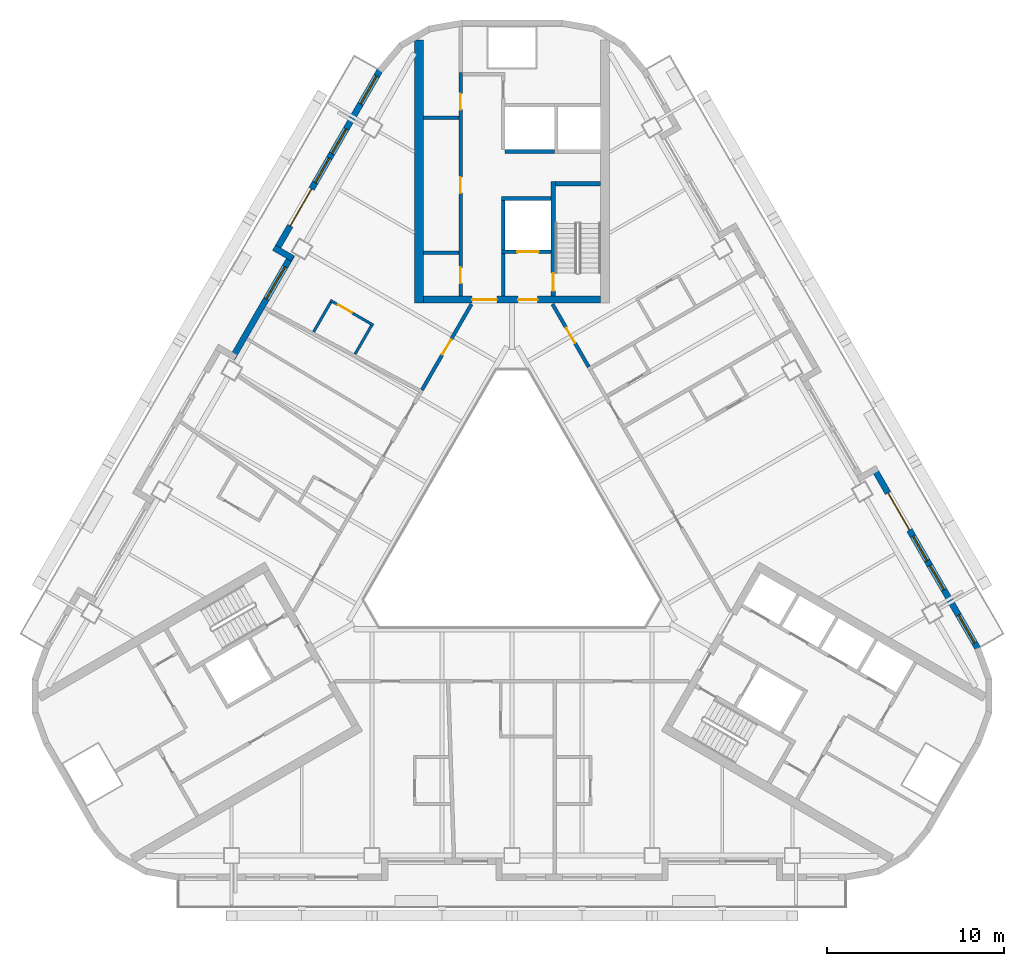
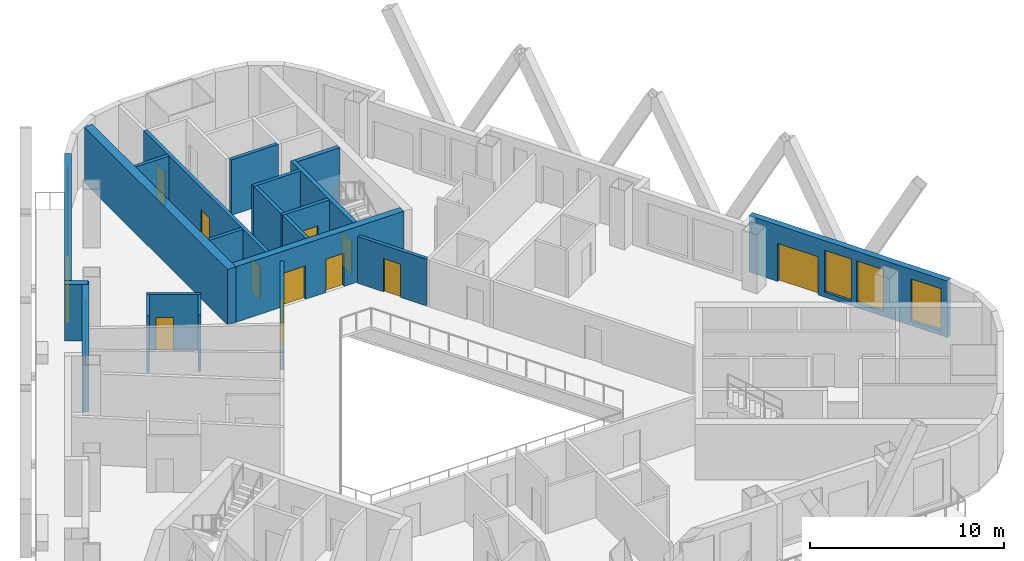
# One storey, part 6 of 14: 21 walls, 12 doors, 7 windows, 19 openings.
"""IFC4 building model written with IfcOpenShell, lengths in metres."""

import ifcopenshell
import ifcopenshell.guid

model = None  # the IFC model being written
_history = None  # IfcOwnerHistory: only IFC2X3 demands one
_inside = {}  # id of a spatial element -> (the spatial element, [elements in it])
_under = {}  # id of a project, library or spatial element -> (it, [spatial elements below it])
_declared = {}  # id of a project -> (the project, [libraries it declares])
_typed = {}  # id of a type object -> (the type object, [elements of that type])
_made_of = {}  # id of a material, layer set ... -> (it, [elements and type objects made of it])


def new_model(schema):
    """Start an empty IFC model of exactly this schema.

    Asked for "IFC4X3", IfcOpenShell would pick the latest addendum, in which some entities
    have other attributes; the version numbers below select the first issue.
    IFC2X3 requires an IfcOwnerHistory on every rooted entity: one is made here for all.
    """
    global model, _history
    if schema == "IFC4X3":
        model = ifcopenshell.file(schema_version=(4, 3, 0, 0))
    else:
        model = ifcopenshell.file(schema=schema)
    _inside.clear()
    _under.clear()
    _declared.clear()
    _typed.clear()
    _made_of.clear()
    _history = None
    if model.schema == "IFC2X3":
        org = make("IfcOrganization", Name="unknown")
        user = make(
            "IfcPersonAndOrganization",
            ThePerson=make("IfcPerson", FamilyName="unknown"),
            TheOrganization=org,
        )
        app = make(
            "IfcApplication",
            ApplicationDeveloper=org,
            Version="unknown",
            ApplicationFullName="unknown",
            ApplicationIdentifier="unknown",
        )
        _history = make(
            "IfcOwnerHistory",
            OwningUser=user,
            OwningApplication=app,
            ChangeAction="ADDED",
            CreationDate=0,
        )
    return model


def make(cls, **values):
    """One entity of the class cls with the attributes given. An attribute that is None is left unset."""
    return model.create_entity(
        cls, **{name: value for name, value in values.items() if value is not None}
    )


def rooted(cls, **values):
    """An entity with a GlobalId (a new one), such as an element, a storey or a relation."""
    return make(cls, GlobalId=ifcopenshell.guid.new(), OwnerHistory=_history, **values)


def si_unit(unit_type, name, prefix=None):
    """IfcSIUnit, for example si_unit("LENGTHUNIT", "METRE", prefix="MILLI")."""
    return make("IfcSIUnit", UnitType=unit_type, Prefix=prefix, Name=name)


def assignment(units):
    """IfcUnitAssignment: the units of a project."""
    return None if units is None else make("IfcUnitAssignment", Units=units)


def point(xyz):
    """IfcCartesianPoint."""
    return None if xyz is None else make("IfcCartesianPoint", Coordinates=xyz)


def direction(xyz):
    """IfcDirection."""
    return None if xyz is None else make("IfcDirection", DirectionRatios=xyz)


def frame(location, z_axis=None, x_axis=None):
    """IfcAxis2Placement3D, a coordinate frame: its origin and axes. An axis left out is left unset."""
    return make(
        "IfcAxis2Placement3D",
        Location=point(location),
        Axis=direction(z_axis),
        RefDirection=direction(x_axis),
    )


def frame_2d(location, x_axis=None):
    """IfcAxis2Placement2D, a coordinate frame in the plane: its origin and x axis."""
    return make(
        "IfcAxis2Placement2D", Location=point(location), RefDirection=direction(x_axis)
    )


def origin():
    """The frame at (0, 0, 0) with its axes left unset."""
    return frame((0.0, 0.0, 0.0))


def place(relative_to, where):
    """IfcLocalPlacement: puts the frame where relative to a parent placement (None: the world)."""
    return make(
        "IfcLocalPlacement", PlacementRelTo=relative_to, RelativePlacement=where
    )


def context(
    kind, dimensions, precision=None, world=None, true_north=None, identifier=None
):
    """IfcGeometricRepresentationContext, for example the 3D "Model" context."""
    return make(
        "IfcGeometricRepresentationContext",
        ContextIdentifier=identifier,
        ContextType=kind,
        CoordinateSpaceDimension=dimensions,
        Precision=precision,
        WorldCoordinateSystem=world,
        TrueNorth=true_north,
    )


def subcontext(parent, identifier, kind, view, scale=None):
    """IfcGeometricRepresentationSubContext, for example "Body" below "Model"."""
    return make(
        "IfcGeometricRepresentationSubContext",
        ContextIdentifier=identifier,
        ContextType=kind,
        ParentContext=parent,
        TargetScale=scale,
        TargetView=view,
    )


def project(units=None, contexts=None):
    """IfcProject with its units and contexts."""
    return rooted(
        "IfcProject",
        Name="project",
        RepresentationContexts=contexts,
        UnitsInContext=assignment(units),
    )


def spatial(cls, under=None, at=None, **own):
    """A site, building, storey or space (cls), placed at a placement, below another one or the project."""
    s = rooted(cls, ObjectPlacement=at, **own)
    if under is not None:
        _under.setdefault(under.id(), (under, []))[1].append(s)
    return s


def profile(cls, at=None, kind="AREA", **sizes):
    """A parametric profile (cls). Its sizes go by their IFC names, for example OverallWidth=200.0."""
    return make(cls, ProfileType=kind, Position=at, **sizes)


def rectangle(**sizes):
    """IfcRectangleProfileDef."""
    return profile("IfcRectangleProfileDef", **sizes)


def extrude(swept, where, along, depth):
    """IfcExtrudedAreaSolid: the profile swept, set in the frame where, extruded along a direction by depth."""
    return make(
        "IfcExtrudedAreaSolid",
        SweptArea=swept,
        Position=where,
        ExtrudedDirection=direction(along),
        Depth=depth,
    )


def shape(context_of_items, identifier, shape_type, items):
    """IfcShapeRepresentation: the items that make up one representation, for example the "Body"."""
    return make(
        "IfcShapeRepresentation",
        ContextOfItems=context_of_items,
        RepresentationIdentifier=identifier,
        RepresentationType=shape_type,
        Items=items,
    )


def material(Name=None, Category=None):
    """IfcMaterial."""
    return make("IfcMaterial", Name=Name, Category=Category)


def layer(
    of_material, thickness, ventilated=None, Name=None, Category=None, Priority=None
):
    """IfcMaterialLayer: one layer of a wall or slab, of a material (None: an air gap)."""
    return make(
        "IfcMaterialLayer",
        Material=of_material,
        LayerThickness=thickness,
        IsVentilated=ventilated,
        Name=Name,
        Category=Category,
        Priority=Priority,
    )


def layer_set(layers, Name=None):
    """IfcMaterialLayerSet."""
    return make("IfcMaterialLayerSet", MaterialLayers=layers, LayerSetName=Name)


def made_of(thing, what):
    """Note that an element or type object is made of a material, layer set ...; save() writes the relation."""
    if what is not None:
        _made_of.setdefault(what.id(), (what, []))[1].append(thing)
    return thing


def type_object(cls, material=None, **own):
    """A type object (cls), such as IfcWallType, which elements share."""
    return made_of(rooted(cls, **own), material)


def element(
    cls,
    number,
    at=None,
    inside=None,
    cuts=None,
    type_object=None,
    material=None,
    context=None,
    identifier="Body",
    shape_type=None,
    held_by="IfcProductDefinitionShape",
    body=None,
    shapes=None,
    **own,
):
    """One element of the class cls, such as IfcWall. Its Tag is "e" and its number.

    at: its placement. inside: the storey or other place that contains it. cuts: it is an
    opening in that element (IfcRelVoidsElement). A single representation is given by context,
    identifier, shape_type and body (its items); several are given by shapes. held_by: the class
    of the entity that holds the representations. save() writes the other relations.
    """
    e = rooted(cls, Tag="e%d" % number, ObjectPlacement=at, **own)
    if body is not None:
        shapes = [shape(context, identifier, shape_type, body)]
    if shapes is not None:
        e.Representation = make(held_by, Representations=shapes)
    if inside is not None:
        _inside.setdefault(inside.id(), (inside, []))[1].append(e)
    if cuts is not None:
        rooted(
            "IfcRelVoidsElement", RelatingBuildingElement=cuts, RelatedOpeningElement=e
        )
    if type_object is not None:
        _typed.setdefault(type_object.id(), (type_object, []))[1].append(e)
    return made_of(e, material)


def fill(opening, filler):
    """IfcRelFillsElement: the door or window that sits in an opening."""
    return rooted(
        "IfcRelFillsElement",
        RelatingOpeningElement=opening,
        RelatedBuildingElement=filler,
    )


def aggregate(whole, parts):
    """IfcRelAggregates: a whole, such as a stair, and the parts it consists of."""
    return rooted("IfcRelAggregates", RelatingObject=whole, RelatedObjects=parts)


def save(model, path):
    """Write the relations noted so far, then the file.

    IfcRelAggregates (storeys below a building ...), IfcRelContainedInSpatialStructure (elements
    in a storey), IfcRelDefinesByType, IfcRelAssociatesMaterial and IfcRelDeclares: one each for
    every whole, place, type object, material and project.
    """
    for whole, parts in _under.values():
        aggregate(whole, parts)
    for where, things in _inside.values():
        rooted(
            "IfcRelContainedInSpatialStructure",
            RelatedElements=things,
            RelatingStructure=where,
        )
    for kind, things in _typed.values():
        rooted("IfcRelDefinesByType", RelatedObjects=things, RelatingType=kind)
    for what, things in _made_of.values():
        rooted("IfcRelAssociatesMaterial", RelatedObjects=things, RelatingMaterial=what)
    for by, libraries in _declared.values():
        rooted("IfcRelDeclares", RelatingContext=by, RelatedDefinitions=libraries)
    model.write(path)


model = new_model("IFC4")

# Units and contexts
model_context = context("Model", 3, precision=1e-05, world=origin(), true_north=direction((0.0, 1.0)))
body_context = subcontext(model_context, "Body", "Model", "MODEL_VIEW")
ifc_project = project(units=[si_unit("LENGTHUNIT", "METRE"), si_unit("AREAUNIT", "SQUARE_METRE"), si_unit("VOLUMEUNIT", "CUBIC_METRE"), si_unit("PLANEANGLEUNIT", "RADIAN"), si_unit("MASSUNIT", "GRAM", prefix="KILO")], contexts=[model_context])

# Site, building, storey
site_placement = place(None, origin())
site = spatial("IfcSite", under=ifc_project, at=site_placement, CompositionType="ELEMENT")
building_placement = place(site_placement, origin())
building = spatial("IfcBuilding", under=site, at=building_placement, Name="Apuvela Tower Hotel", CompositionType="ELEMENT")
storey_placement = place(building_placement, frame((0.0, 0.0, 98.300048828125)))
storey = spatial("IfcBuildingStorey", under=building, at=storey_placement, Name="L22", CompositionType="ELEMENT", Elevation=98.300048828125)

# Wall, openings, doors
ifc_material_1 = material(Name="Concrete C50/60", Category="concrete")
ifc_layer_1 = layer(ifc_material_1, 0.39990234375)
ifc_layer_set_1 = layer_set([ifc_layer_1], Name="COR-WALL-CORE-400")
wall_type_1 = type_object("IfcWallType", Name="COR-WALL-CORE-400", PredefinedType="SHEAR", material=ifc_layer_set_1)
wall_1_placement = place(storey_placement, frame((5.0, 13.10009765625, 0.0), z_axis=(0.0, 0.0, 1.0), x_axis=(-1.0, 0.0, 0.0)))
wall_1 = element("IfcWall", 1, at=wall_1_placement, inside=storey, type_object=wall_type_1, Name="Core wall N", PredefinedType="SHEAR", context=body_context, shape_type="SweptSolid", body=[
    extrude(rectangle(XDim=10.0, YDim=0.39990234375, at=frame_2d((5.0, 0.0))), origin(), (0.0, 0.0, 1.0), 3.5),
])
opening_1_placement = place(wall_1_placement, frame((3.550048828125, 0.0, 0.0)))
opening_1 = element("IfcOpeningElement", 2, at=opening_1_placement, cuts=wall_1, Name="Opening N-FD", PredefinedType="OPENING", context=body_context, shape_type="SweptSolid", body=[
    extrude(rectangle(XDim=1.10009765625, YDim=2.10009765625, at=frame_2d((0.550048828125, 1.050048828125))), frame((0.0, 0.2099609375, 0.0), z_axis=(0.0, -1.0, 0.0), x_axis=(1.0, 0.0, 0.0)), (0.0, 0.0, 1.0), 0.419921875),
])
opening_2_placement = place(wall_1_placement, frame((5.85009765625, 0.0, 0.0)))
opening_2 = element("IfcOpeningElement", 3, at=opening_2_placement, cuts=wall_1, Name="Opening N-GD", PredefinedType="OPENING", context=body_context, shape_type="SweptSolid", body=[
    extrude(rectangle(XDim=1.39990234375, YDim=2.10009765625, at=frame_2d((0.699951171875, 1.050048828125))), frame((0.0, 0.2099609375, 0.0), z_axis=(0.0, -1.0, 0.0), x_axis=(1.0, 0.0, 0.0)), (0.0, 0.0, 1.0), 0.419921875),
])
ifc_material_2 = material(Name="Steel fire door, powder coated", Category="steel")
door_type_1 = type_object("IfcDoorType", Name="COR-FD-1100", OperationType="NOTDEFINED", PredefinedType="DOOR", material=ifc_material_2)
door_1_placement = place(opening_1_placement, frame((1.10009765625, 0.0, 0.0), z_axis=(0.0, 0.0, 1.0), x_axis=(-1.0, 0.0, 0.0)))
door_1 = element("IfcDoor", 4, at=door_1_placement, inside=storey, type_object=door_type_1, Name="Firefighting lobby door N-FD", OperationType="SINGLE_SWING_LEFT", OverallHeight=2.10009765625, OverallWidth=1.10009765625, PredefinedType="DOOR", context=body_context, shape_type="SweptSolid", body=[
    extrude(rectangle(XDim=1.10009765625, YDim=2.10009765625, at=frame_2d((0.550048828125, 1.050048828125))), frame((0.0, 0.02490234375, 0.0), z_axis=(0.0, -1.0, 0.0), x_axis=(1.0, 0.0, 0.0)), (0.0, 0.0, 1.0), 0.050048828125),
])
fill(opening_1, door_1)
ifc_material_3 = material(Name="Glazed steel fire door", Category="steel")
door_type_2 = type_object("IfcDoorType", Name="COR-GD-1400", OperationType="DOUBLE_DOOR_SINGLE_SWING", PredefinedType="DOOR", material=ifc_material_3)
door_2_placement = place(opening_2_placement, frame((1.39990234375, 0.0, 0.0), z_axis=(0.0, 0.0, 1.0), x_axis=(-1.0, 0.0, 0.0)))
door_2 = element("IfcDoor", 5, at=door_2_placement, inside=storey, type_object=door_type_2, Name="Lift lobby door N-GD", OperationType="DOUBLE_DOOR_SINGLE_SWING", OverallHeight=2.10009765625, OverallWidth=1.39990234375, PredefinedType="DOOR", context=body_context, shape_type="SweptSolid", body=[
    extrude(rectangle(XDim=1.39990234375, YDim=2.10009765625, at=frame_2d((0.699951171875, 1.050048828125))), frame((0.0, 0.02490234375, 0.0), z_axis=(0.0, -1.0, 0.0), x_axis=(1.0, 0.0, 0.0)), (0.0, 0.0, 1.0), 0.050048828125),
])
fill(opening_2, door_2)

# Walls
ifc_layer_2 = layer(ifc_material_1, 0.5)
ifc_layer_set_2 = layer_set([ifc_layer_2], Name="COR-WALL-CORE-500")
wall_type_2 = type_object("IfcWallType", Name="COR-WALL-CORE-500", PredefinedType="SHEAR", material=ifc_layer_set_2)
wall_2_placement = place(storey_placement, frame((-5.25, 12.89990234375, 0.0), z_axis=(0.0, 0.0, 1.0), x_axis=(0.0, 1.0, 0.0)))
element("IfcWall", 6, at=wall_2_placement, inside=storey, type_object=wall_type_2, Name="Core wall N", PredefinedType="SHEAR", context=body_context, shape_type="SweptSolid", body=[
    extrude(rectangle(XDim=14.8369140625, YDim=0.5, at=frame_2d((7.41845703125, 0.0))), origin(), (0.0, 0.0, 1.0), 3.5),
])
ifc_material_4 = material(Name="Blockwork 200 mm plastered", Category="masonry")
ifc_layer_3 = layer(ifc_material_4, 0.199951171875)
ifc_layer_set_3 = layer_set([ifc_layer_3], Name="COR-WALL-PART-200")
wall_type_3 = type_object("IfcWallType", Name="COR-WALL-PART-200", PredefinedType="PARTITIONING", material=ifc_layer_set_3)
wall_3_placement = place(storey_placement, frame((2.39990234375, 21.449951171875, 0.0), z_axis=(0.0, 0.0, 1.0), x_axis=(-1.0, 0.0, 0.0)))
element("IfcWall", 7, at=wall_3_placement, inside=storey, type_object=wall_type_3, Name="Partition N", PredefinedType="PARTITIONING", context=body_context, shape_type="SweptSolid", body=[
    extrude(rectangle(XDim=2.7998046875, YDim=0.199951171875, at=frame_2d((1.39990234375, 0.0))), origin(), (0.0, 0.0, 1.0), 3.5),
])
ifc_layer_4 = layer(ifc_material_1, 0.199951171875)
ifc_layer_set_4 = layer_set([ifc_layer_4], Name="COR-WALL-SHAFT-200")
wall_type_4 = type_object("IfcWallType", Name="COR-WALL-SHAFT-200", PredefinedType="SHEAR", material=ifc_layer_set_4)
wall_4_placement = place(storey_placement, frame((2.199951171875, 18.800048828125, 0.0), z_axis=(0.0, 0.0, 1.0), x_axis=(-1.0, 0.0, 0.0)))
element("IfcWall", 8, at=wall_4_placement, inside=storey, type_object=wall_type_4, Name="Shaft wall N", PredefinedType="SHEAR", context=body_context, shape_type="SweptSolid", body=[
    extrude(rectangle(XDim=2.800048828125, YDim=0.199951171875, at=frame_2d((1.39990234375, 0.0))), origin(), (0.0, 0.0, 1.0), 3.5),
])

# Wall, opening, door
wall_5_placement = place(storey_placement, frame((2.199951171875, 15.800048828125, 0.0), z_axis=(0.0, 0.0, 1.0), x_axis=(-1.0, 0.0, 0.0)))
wall_5 = element("IfcWall", 9, at=wall_5_placement, inside=storey, type_object=wall_type_4, Name="Shaft wall N", PredefinedType="SHEAR", context=body_context, shape_type="SweptSolid", body=[
    extrude(rectangle(XDim=2.800048828125, YDim=0.199951171875, at=frame_2d((1.39990234375, 0.0))), origin(), (0.0, 0.0, 1.0), 3.5),
])
opening_3_placement = place(wall_5_placement, frame((0.699951171875, 0.0, 0.0)))
opening_3 = element("IfcOpeningElement", 10, at=opening_3_placement, cuts=wall_5, Name="Opening N-LD-FS1", PredefinedType="OPENING", context=body_context, shape_type="SweptSolid", body=[
    extrude(rectangle(XDim=1.199951171875, YDim=2.10009765625, at=frame_2d((0.60009765625, 1.050048828125))), frame((0.0, 0.10986328125, 0.0), z_axis=(0.0, -1.0, 0.0), x_axis=(1.0, 0.0, 0.0)), (0.0, 0.0, 1.0), 0.219970703125),
])
ifc_material_5 = material(Name="Stainless steel lift landing door", Category="steel")
door_type_3 = type_object("IfcDoorType", Name="COR-LD-1200", OperationType="DOUBLE_DOOR_SLIDING", PredefinedType="DOOR", material=ifc_material_5)
door_3_placement = place(opening_3_placement, origin())
door_3 = element("IfcDoor", 11, at=door_3_placement, inside=storey, type_object=door_type_3, Name="Lift landing door N-LD-FS1", OperationType="DOUBLE_DOOR_SLIDING", OverallHeight=2.10009765625, OverallWidth=1.199951171875, PredefinedType="DOOR", context=body_context, shape_type="SweptSolid", body=[
    extrude(rectangle(XDim=1.199951171875, YDim=2.10009765625, at=frame_2d((0.60009765625, 1.050048828125))), frame((0.0, 0.02490234375, 0.0), z_axis=(0.0, -1.0, 0.0), x_axis=(1.0, 0.0, 0.0)), (0.0, 0.0, 1.0), 0.050048828125),
])
fill(opening_3, door_3)

# Walls
wall_6_placement = place(storey_placement, frame((-0.5, 15.89990234375, 0.0), z_axis=(0.0, 0.0, 1.0), x_axis=(0.0, 1.0, 0.0)))
element("IfcWall", 12, at=wall_6_placement, inside=storey, type_object=wall_type_4, Name="Shaft wall N", PredefinedType="SHEAR", context=body_context, shape_type="SweptSolid", body=[
    extrude(rectangle(XDim=2.800048828125, YDim=0.199951171875, at=frame_2d((1.39990234375, 0.0))), origin(), (0.0, 0.0, 1.0), 3.5),
])
wall_7_placement = place(storey_placement, frame((-0.5, 13.300048828125, 0.0), z_axis=(0.0, 0.0, 1.0), x_axis=(0.0, 1.0, 0.0)))
element("IfcWall", 13, at=wall_7_placement, inside=storey, type_object=wall_type_4, Name="Shaft wall N", PredefinedType="SHEAR", context=body_context, shape_type="SweptSolid", body=[
    extrude(rectangle(XDim=2.39990234375, YDim=0.199951171875, at=frame_2d((1.199951171875, 0.0))), origin(), (0.0, 0.0, 1.0), 3.5),
])

# Wall, openings, doors
wall_8_placement = place(storey_placement, frame((-2.89990234375, 13.300048828125, 0.0), z_axis=(0.0, 0.0, 1.0), x_axis=(0.0, 1.0, 0.0)))
wall_8 = element("IfcWall", 14, at=wall_8_placement, inside=storey, type_object=wall_type_4, Name="Shaft wall N", PredefinedType="SHEAR", context=body_context, shape_type="SweptSolid", body=[
    extrude(rectangle(XDim=12.599853515625, YDim=0.199951171875, at=frame_2d((6.2998046875, 0.0))), origin(), (0.0, 0.0, 1.0), 3.5),
])
opening_4_placement = place(wall_8_placement, frame((0.719970703125, 0.0, 0.0)))
opening_4 = element("IfcOpeningElement", 15, at=opening_4_placement, cuts=wall_8, Name="Opening N-RE1", PredefinedType="OPENING", context=body_context, shape_type="SweptSolid", body=[
    extrude(rectangle(XDim=0.89990234375, YDim=2.10009765625, at=frame_2d((0.449951171875, 1.050048828125))), frame((0.0, 0.10986328125, 0.0), z_axis=(0.0, -1.0, 0.0), x_axis=(1.0, 0.0, 0.0)), (0.0, 0.0, 1.0), 0.219970703125),
])
opening_5_placement = place(wall_8_placement, frame((5.800048828125, 0.0, 0.0)))
opening_5 = element("IfcOpeningElement", 16, at=opening_5_placement, cuts=wall_8, Name="Opening N-RE2", PredefinedType="OPENING", context=body_context, shape_type="SweptSolid", body=[
    extrude(rectangle(XDim=0.89990234375, YDim=2.10009765625, at=frame_2d((0.449951171875, 1.050048828125))), frame((0.0, 0.10986328125, 0.0), z_axis=(0.0, -1.0, 0.0), x_axis=(1.0, 0.0, 0.0)), (0.0, 0.0, 1.0), 0.219970703125),
])
opening_6_placement = place(wall_8_placement, frame((10.510009765625, 0.0, 0.0)))
opening_6 = element("IfcOpeningElement", 17, at=opening_6_placement, cuts=wall_8, Name="Opening N-REP", PredefinedType="OPENING", context=body_context, shape_type="SweptSolid", body=[
    extrude(rectangle(XDim=0.89990234375, YDim=2.10009765625, at=frame_2d((0.449951171875, 1.050048828125))), frame((0.0, 0.10986328125, 0.0), z_axis=(0.0, -1.0, 0.0), x_axis=(1.0, 0.0, 0.0)), (0.0, 0.0, 1.0), 0.219970703125),
])
door_type_4 = type_object("IfcDoorType", Name="COR-DR-900", OperationType="NOTDEFINED", PredefinedType="DOOR", material=ifc_material_2)
door_4_placement = place(opening_4_placement, origin())
door_4 = element("IfcDoor", 18, at=door_4_placement, inside=storey, type_object=door_type_4, Name="Store door N-RE1", OperationType="SINGLE_SWING_LEFT", OverallHeight=2.10009765625, OverallWidth=0.89990234375, PredefinedType="DOOR", context=body_context, shape_type="SweptSolid", body=[
    extrude(rectangle(XDim=0.89990234375, YDim=2.10009765625, at=frame_2d((0.449951171875, 1.050048828125))), frame((0.0, 0.02490234375, 0.0), z_axis=(0.0, -1.0, 0.0), x_axis=(1.0, 0.0, 0.0)), (0.0, 0.0, 1.0), 0.050048828125),
])
fill(opening_4, door_4)
door_5_placement = place(opening_5_placement, origin())
door_5 = element("IfcDoor", 19, at=door_5_placement, inside=storey, type_object=door_type_4, Name="Store door N-RE2", OperationType="SINGLE_SWING_RIGHT", OverallHeight=2.10009765625, OverallWidth=0.89990234375, PredefinedType="DOOR", context=body_context, shape_type="SweptSolid", body=[
    extrude(rectangle(XDim=0.89990234375, YDim=2.10009765625, at=frame_2d((0.449951171875, 1.050048828125))), frame((0.0, 0.02490234375, 0.0), z_axis=(0.0, -1.0, 0.0), x_axis=(1.0, 0.0, 0.0)), (0.0, 0.0, 1.0), 0.050048828125),
])
fill(opening_5, door_5)
door_6_placement = place(opening_6_placement, origin())
door_6 = element("IfcDoor", 20, at=door_6_placement, inside=storey, type_object=door_type_4, Name="Store door N-REP", OperationType="SINGLE_SWING_RIGHT", OverallHeight=2.10009765625, OverallWidth=0.89990234375, PredefinedType="DOOR", context=body_context, shape_type="SweptSolid", body=[
    extrude(rectangle(XDim=0.89990234375, YDim=2.10009765625, at=frame_2d((0.449951171875, 1.050048828125))), frame((0.0, 0.02490234375, 0.0), z_axis=(0.0, -1.0, 0.0), x_axis=(1.0, 0.0, 0.0)), (0.0, 0.0, 1.0), 0.050048828125),
])
fill(opening_6, door_6)

# Walls
for number, where, z_axis, x_axis, name in (
    (21, (-3.0, 15.739990234375, 0.0), (0.0, 0.0, 1.0), (-1.0, 0.0, 0.0), "Shaft wall N"),
    (22, (-3.0, 23.360107421875, 0.0), (0.0, 0.0, 1.0), (-1.0, 0.0, 0.0), "Shaft wall N"),
):
    element("IfcWall", number, at=place(storey_placement, frame(where, z_axis=z_axis, x_axis=x_axis)), inside=storey, type_object=wall_type_4, Name=name, PredefinedType="SHEAR", context=body_context, shape_type="SweptSolid", body=[
        extrude(rectangle(XDim=2.0, YDim=0.199951171875, at=frame_2d((1.0, 0.0))), origin(), (0.0, 0.0, 1.0), 3.5),
    ])

# Wall, opening, door
ifc_layer_5 = layer(ifc_material_1, 0.25)
ifc_layer_set_5 = layer_set([ifc_layer_5], Name="COR-WALL-STAIR-250")
wall_type_5 = type_object("IfcWallType", Name="COR-WALL-STAIR-250", PredefinedType="SHEAR", material=ifc_layer_set_5)
wall_9_placement = place(storey_placement, frame((2.324951171875, 13.300048828125, 0.0), z_axis=(0.0, 0.0, 1.0), x_axis=(0.0, 1.0, 0.0)))
wall_9 = element("IfcWall", 23, at=wall_9_placement, inside=storey, type_object=wall_type_5, Name="Stair wall N", PredefinedType="SHEAR", context=body_context, shape_type="SweptSolid", body=[
    extrude(rectangle(XDim=6.449951171875, YDim=0.25, at=frame_2d((3.22509765625, 0.0))), origin(), (0.0, 0.0, 1.0), 3.5),
])
opening_7_placement = place(wall_9_placement, frame((0.300048828125, 0.0, 0.0)))
opening_7 = element("IfcOpeningElement", 24, at=opening_7_placement, cuts=wall_9, Name="Opening N-SD", PredefinedType="OPENING", context=body_context, shape_type="SweptSolid", body=[
    extrude(rectangle(XDim=1.0, YDim=2.10009765625, at=frame_2d((0.5, 1.050048828125))), frame((0.0, 0.135009765625, 0.0), z_axis=(0.0, -1.0, 0.0), x_axis=(1.0, 0.0, 0.0)), (0.0, 0.0, 1.0), 0.27001953125),
])
door_type_5 = type_object("IfcDoorType", Name="COR-SD-1000", OperationType="NOTDEFINED", PredefinedType="DOOR", material=ifc_material_2)
door_7_placement = place(opening_7_placement, frame((1.0, 0.0, 0.0), z_axis=(0.0, 0.0, 1.0), x_axis=(-1.0, 0.0, 0.0)))
door_7 = element("IfcDoor", 25, at=door_7_placement, inside=storey, type_object=door_type_5, Name="Stair door N-SD", OperationType="SINGLE_SWING_LEFT", OverallHeight=2.10009765625, OverallWidth=1.0, PredefinedType="DOOR", context=body_context, shape_type="SweptSolid", body=[
    extrude(rectangle(XDim=1.0, YDim=2.10009765625, at=frame_2d((0.5, 1.050048828125))), frame((0.0, 0.02490234375, 0.0), z_axis=(0.0, -1.0, 0.0), x_axis=(1.0, 0.0, 0.0)), (0.0, 0.0, 1.0), 0.050048828125),
])
fill(opening_7, door_7)

# Wall
wall_10_placement = place(storey_placement, frame((5.0, 19.625, 0.0), z_axis=(0.0, 0.0, 1.0), x_axis=(-1.0, 0.0, 0.0)))
element("IfcWall", 26, at=wall_10_placement, inside=storey, type_object=wall_type_5, Name="Stair wall N", PredefinedType="SHEAR", context=body_context, shape_type="SweptSolid", body=[
    extrude(rectangle(XDim=2.550048828125, YDim=0.25, at=frame_2d((1.27490234375, 0.0))), origin(), (0.0, 0.0, 1.0), 3.5),
])

# Wall, openings, door, windows
ifc_material_6 = material(Name="Concrete C40/50, dark pigmented precast panel", Category="concrete")
ifc_layer_6 = layer(ifc_material_6, 0.35009765625)
ifc_layer_set_6 = layer_set([ifc_layer_6], Name="ENV-WALL-350")
wall_type_6 = type_object("IfcWallType", Name="ENV-WALL-350", PredefinedType="SOLIDWALL", material=ifc_layer_set_6)
wall_11_placement = place(storey_placement, frame((-7.440673828125, 26.0224609375, 0.0), z_axis=(0.0, 0.0, 1.0), x_axis=(-0.499992533062, -0.86602971478, 0.0)))
wall_11 = element("IfcWall", 27, at=wall_11_placement, inside=storey, type_object=wall_type_6, Name="External wall L22-01", PredefinedType="SOLIDWALL", context=body_context, shape_type="SweptSolid", body=[
    extrude(rectangle(XDim=11.815673828125, YDim=0.35009765625, at=frame_2d((5.90771484375, 0.0))), origin(), (0.0, 0.0, 1.0), 3.550048828125),
])
opening_8_placement = place(wall_11_placement, frame((0.381103515625, 0.0, 0.300048828125)))
opening_8 = element("IfcOpeningElement", 28, at=opening_8_placement, cuts=wall_11, Name="Opening WN18", PredefinedType="OPENING", context=body_context, shape_type="SweptSolid", body=[
    extrude(rectangle(XDim=1.800048828125, YDim=2.64990234375, at=frame_2d((0.89990234375, 1.324951171875))), frame((0.0, 0.18505859375, 0.0), z_axis=(0.0, -1.0, 0.0), x_axis=(1.0, 0.0, 0.0)), (0.0, 0.0, 1.0), 0.3701171875),
])
opening_9_placement = place(wall_11_placement, frame((7.7158203125, 0.0, 0.0)))
opening_9 = element("IfcOpeningElement", 29, at=opening_9_placement, cuts=wall_11, Name="Opening BD24", PredefinedType="OPENING", context=body_context, shape_type="SweptSolid", body=[
    extrude(rectangle(XDim=2.39990234375, YDim=2.39990234375, at=frame_2d((1.199951171875, 1.199951171875))), frame((0.0, 0.18505859375, 0.0), z_axis=(0.0, -1.0, 0.0), x_axis=(1.0, 0.0, 0.0)), (0.0, 0.0, 1.0), 0.3701171875),
])
opening_10_placement = place(wall_11_placement, frame((3.815185546875, 0.0, 0.300048828125)))
opening_10 = element("IfcOpeningElement", 30, at=opening_10_placement, cuts=wall_11, Name="Opening WN16", PredefinedType="OPENING", context=body_context, shape_type="SweptSolid", body=[
    extrude(rectangle(XDim=1.60009765625, YDim=2.64990234375, at=frame_2d((0.800048828125, 1.324951171875))), frame((0.0, 0.18505859375, 0.0), z_axis=(0.0, -1.0, 0.0), x_axis=(1.0, 0.0, 0.0)), (0.0, 0.0, 1.0), 0.3701171875),
])
opening_11_placement = place(wall_11_placement, frame((5.715087890625, 0.0, 0.300048828125)))
opening_11 = element("IfcOpeningElement", 31, at=opening_11_placement, cuts=wall_11, Name="Opening WN16", PredefinedType="OPENING", context=body_context, shape_type="SweptSolid", body=[
    extrude(rectangle(XDim=1.60009765625, YDim=2.64990234375, at=frame_2d((0.800048828125, 1.324951171875))), frame((0.0, 0.18505859375, 0.0), z_axis=(0.0, -1.0, 0.0), x_axis=(1.0, 0.0, 0.0)), (0.0, 0.0, 1.0), 0.3701171875),
])
ifc_material_7 = material(Name="Aluminium 6063-T6, dark bronze anodised frame with dark tinted laminated glass", Category="aluminium")
door_type_6 = type_object("IfcDoorType", Name="ENV-DOOR-BALCONY-2400x2400", OperationType="SLIDING_TO_LEFT", PredefinedType="DOOR", material=ifc_material_7)
door_8_placement = place(opening_9_placement, frame((2.39990234375, 0.0, 0.0), z_axis=(0.0, 0.0, 1.0), x_axis=(-1.0, 0.0, 0.0)))
door_8 = element("IfcDoor", 32, at=door_8_placement, inside=storey, type_object=door_type_6, Name="Balcony door BD24", OperationType="SLIDING_TO_LEFT", OverallHeight=2.39990234375, OverallWidth=2.39990234375, PredefinedType="DOOR", context=body_context, shape_type="SweptSolid", body=[
    extrude(rectangle(XDim=2.39990234375, YDim=2.39990234375, at=frame_2d((1.199951171875, 1.199951171875))), frame((0.0, 0.02490234375, 0.0), z_axis=(0.0, -1.0, 0.0), x_axis=(1.0, 0.0, 0.0)), (0.0, 0.0, 1.0), 0.050048828125),
])
fill(opening_9, door_8)
ifc_material_8 = material(Name="Glass, dark tinted laminated insulated glazing unit", Category="glass")
window_type_1 = type_object("IfcWindowType", Name="ENV-WIN-1600x2650", PartitioningType="SINGLE_PANEL", PredefinedType="WINDOW", material=ifc_material_8)
window_1_placement = place(opening_10_placement, origin())
window_1 = element("IfcWindow", 33, at=window_1_placement, inside=storey, type_object=window_type_1, Name="Window WN16", OverallHeight=2.64990234375, OverallWidth=1.60009765625, PartitioningType="SINGLE_PANEL", PredefinedType="WINDOW", context=body_context, shape_type="SweptSolid", body=[
    extrude(rectangle(XDim=1.60009765625, YDim=2.64990234375, at=frame_2d((0.800048828125, 1.324951171875))), frame((0.0, 0.030029296875, 0.0), z_axis=(0.0, -1.0, 0.0), x_axis=(1.0, 0.0, 0.0)), (0.0, 0.0, 1.0), 0.06005859375),
])
fill(opening_10, window_1)
window_2_placement = place(opening_11_placement, origin())
window_2 = element("IfcWindow", 34, at=window_2_placement, inside=storey, type_object=window_type_1, Name="Window WN16", OverallHeight=2.64990234375, OverallWidth=1.60009765625, PartitioningType="SINGLE_PANEL", PredefinedType="WINDOW", context=body_context, shape_type="SweptSolid", body=[
    extrude(rectangle(XDim=1.60009765625, YDim=2.64990234375, at=frame_2d((0.800048828125, 1.324951171875))), frame((0.0, 0.030029296875, 0.0), z_axis=(0.0, -1.0, 0.0), x_axis=(1.0, 0.0, 0.0)), (0.0, 0.0, 1.0), 0.06005859375),
])
fill(opening_11, window_2)
window_type_2 = type_object("IfcWindowType", Name="ENV-WIN-1800x2650", PartitioningType="SINGLE_PANEL", PredefinedType="WINDOW", material=ifc_material_8)
window_3_placement = place(opening_8_placement, origin())
window_3 = element("IfcWindow", 35, at=window_3_placement, inside=storey, type_object=window_type_2, Name="Window WN18", OverallHeight=2.64990234375, OverallWidth=1.800048828125, PartitioningType="SINGLE_PANEL", PredefinedType="WINDOW", context=body_context, shape_type="SweptSolid", body=[
    extrude(rectangle(XDim=1.800048828125, YDim=2.64990234375, at=frame_2d((0.89990234375, 1.324951171875))), frame((0.0, 0.030029296875, 0.0), z_axis=(0.0, -1.0, 0.0), x_axis=(1.0, 0.0, 0.0)), (0.0, 0.0, 1.0), 0.06005859375),
])
fill(opening_8, window_3)

# Wall
wall_12_placement = place(storey_placement, frame((-13.41259765625, 16.02880859375, 0.0), z_axis=(0.0, 0.0, 1.0), x_axis=(0.866005645448, -0.500034220881, 0.0)))
element("IfcWall", 36, at=wall_12_placement, inside=storey, type_object=wall_type_6, Name="External wall L22-02", PredefinedType="SOLIDWALL", context=body_context, shape_type="SweptSolid", body=[
    extrude(rectangle(XDim=1.22021484375, YDim=0.35009765625, at=frame_2d((0.610107421875, 0.0))), origin(), (0.0, 0.0, 1.0), 3.550048828125),
])

# Wall, opening, window
wall_13_placement = place(storey_placement, frame((-12.408935546875, 15.616943359375, 0.0), z_axis=(0.0, 0.0, 1.0), x_axis=(-0.500003597184, -0.866023326939, 0.0)))
wall_13 = element("IfcWall", 37, at=wall_13_placement, inside=storey, type_object=wall_type_6, Name="External wall L22-03", PredefinedType="SOLIDWALL", context=body_context, shape_type="SweptSolid", body=[
    extrude(rectangle(XDim=6.740234375, YDim=0.35009765625, at=frame_2d((3.3701171875, 0.0))), origin(), (0.0, 0.0, 1.0), 3.550048828125),
])
opening_12_placement = place(wall_13_placement, frame((0.77001953125, 0.0, 0.300048828125)))
opening_12 = element("IfcOpeningElement", 38, at=opening_12_placement, cuts=wall_13, Name="Opening WN21", PredefinedType="OPENING", context=body_context, shape_type="SweptSolid", body=[
    extrude(rectangle(XDim=2.10009765625, YDim=2.64990234375, at=frame_2d((1.050048828125, 1.324951171875))), frame((0.0, 0.18505859375, 0.0), z_axis=(0.0, -1.0, 0.0), x_axis=(1.0, 0.0, 0.0)), (0.0, 0.0, 1.0), 0.3701171875),
])
window_type_3 = type_object("IfcWindowType", Name="ENV-WIN-2100x2650", PartitioningType="SINGLE_PANEL", PredefinedType="WINDOW", material=ifc_material_8)
window_4_placement = place(opening_12_placement, origin())
window_4 = element("IfcWindow", 39, at=window_4_placement, inside=storey, type_object=window_type_3, Name="Window WN21", OverallHeight=2.64990234375, OverallWidth=2.10009765625, PartitioningType="SINGLE_PANEL", PredefinedType="WINDOW", context=body_context, shape_type="SweptSolid", body=[
    extrude(rectangle(XDim=2.10009765625, YDim=2.64990234375, at=frame_2d((1.050048828125, 1.324951171875))), frame((0.0, 0.030029296875, 0.0), z_axis=(0.0, -1.0, 0.0), x_axis=(1.0, 0.0, 0.0)), (0.0, 0.0, 1.0), 0.06005859375),
])
fill(opening_12, window_4)

# Wall, openings, door, windows
wall_14_placement = place(storey_placement, frame((26.256591796875, -6.5673828125, 0.0), z_axis=(0.0, 0.0, 1.0), x_axis=(-0.500023526245, 0.866011820475, 0.0)))
wall_14 = element("IfcWall", 40, at=wall_14_placement, inside=storey, type_object=wall_type_6, Name="External wall L22-33", PredefinedType="SOLIDWALL", context=body_context, shape_type="SweptSolid", body=[
    extrude(rectangle(XDim=11.81591796875, YDim=0.35009765625, at=frame_2d((5.907958984375, 0.0))), origin(), (0.0, 0.0, 1.0), 3.550048828125),
])
opening_13_placement = place(wall_14_placement, frame((0.380126953125, 0.0, 0.300048828125)))
opening_13 = element("IfcOpeningElement", 41, at=opening_13_placement, cuts=wall_14, Name="Opening WN18", PredefinedType="OPENING", context=body_context, shape_type="SweptSolid", body=[
    extrude(rectangle(XDim=1.800048828125, YDim=2.64990234375, at=frame_2d((0.89990234375, 1.324951171875))), frame((0.0, 0.18505859375, 0.0), z_axis=(0.0, -1.0, 0.0), x_axis=(1.0, 0.0, 0.0)), (0.0, 0.0, 1.0), 0.3701171875),
])
opening_14_placement = place(wall_14_placement, frame((7.71630859375, 0.0, 0.0)))
opening_14 = element("IfcOpeningElement", 42, at=opening_14_placement, cuts=wall_14, Name="Opening BD24", PredefinedType="OPENING", context=body_context, shape_type="SweptSolid", body=[
    extrude(rectangle(XDim=2.39990234375, YDim=2.39990234375, at=frame_2d((1.199951171875, 1.199951171875))), frame((0.0, 0.18505859375, 0.0), z_axis=(0.0, -1.0, 0.0), x_axis=(1.0, 0.0, 0.0)), (0.0, 0.0, 1.0), 0.3701171875),
])
opening_15_placement = place(wall_14_placement, frame((3.81591796875, 0.0, 0.300048828125)))
opening_15 = element("IfcOpeningElement", 43, at=opening_15_placement, cuts=wall_14, Name="Opening WN16", PredefinedType="OPENING", context=body_context, shape_type="SweptSolid", body=[
    extrude(rectangle(XDim=1.60009765625, YDim=2.64990234375, at=frame_2d((0.800048828125, 1.324951171875))), frame((0.0, 0.18505859375, 0.0), z_axis=(0.0, -1.0, 0.0), x_axis=(1.0, 0.0, 0.0)), (0.0, 0.0, 1.0), 0.3701171875),
])
opening_16_placement = place(wall_14_placement, frame((5.7158203125, 0.0, 0.300048828125)))
opening_16 = element("IfcOpeningElement", 44, at=opening_16_placement, cuts=wall_14, Name="Opening WN16", PredefinedType="OPENING", context=body_context, shape_type="SweptSolid", body=[
    extrude(rectangle(XDim=1.60009765625, YDim=2.64990234375, at=frame_2d((0.800048828125, 1.324951171875))), frame((0.0, 0.18505859375, 0.0), z_axis=(0.0, -1.0, 0.0), x_axis=(1.0, 0.0, 0.0)), (0.0, 0.0, 1.0), 0.3701171875),
])
door_9_placement = place(opening_14_placement, frame((2.39990234375, 0.0, 0.0), z_axis=(0.0, 0.0, 1.0), x_axis=(-1.0, 0.0, 0.0)))
door_9 = element("IfcDoor", 45, at=door_9_placement, inside=storey, type_object=door_type_6, Name="Balcony door BD24", OperationType="SLIDING_TO_LEFT", OverallHeight=2.39990234375, OverallWidth=2.39990234375, PredefinedType="DOOR", context=body_context, shape_type="SweptSolid", body=[
    extrude(rectangle(XDim=2.39990234375, YDim=2.39990234375, at=frame_2d((1.199951171875, 1.199951171875))), frame((0.0, 0.02490234375, 0.0), z_axis=(0.0, -1.0, 0.0), x_axis=(1.0, 0.0, 0.0)), (0.0, 0.0, 1.0), 0.050048828125),
])
fill(opening_14, door_9)
window_5_placement = place(opening_15_placement, origin())
window_5 = element("IfcWindow", 46, at=window_5_placement, inside=storey, type_object=window_type_1, Name="Window WN16", OverallHeight=2.64990234375, OverallWidth=1.60009765625, PartitioningType="SINGLE_PANEL", PredefinedType="WINDOW", context=body_context, shape_type="SweptSolid", body=[
    extrude(rectangle(XDim=1.60009765625, YDim=2.64990234375, at=frame_2d((0.800048828125, 1.324951171875))), frame((0.0, 0.030029296875, 0.0), z_axis=(0.0, -1.0, 0.0), x_axis=(1.0, 0.0, 0.0)), (0.0, 0.0, 1.0), 0.06005859375),
])
fill(opening_15, window_5)
window_6_placement = place(opening_16_placement, origin())
window_6 = element("IfcWindow", 47, at=window_6_placement, inside=storey, type_object=window_type_1, Name="Window WN16", OverallHeight=2.64990234375, OverallWidth=1.60009765625, PartitioningType="SINGLE_PANEL", PredefinedType="WINDOW", context=body_context, shape_type="SweptSolid", body=[
    extrude(rectangle(XDim=1.60009765625, YDim=2.64990234375, at=frame_2d((0.800048828125, 1.324951171875))), frame((0.0, 0.030029296875, 0.0), z_axis=(0.0, -1.0, 0.0), x_axis=(1.0, 0.0, 0.0)), (0.0, 0.0, 1.0), 0.06005859375),
])
fill(opening_16, window_6)
window_7_placement = place(opening_13_placement, origin())
window_7 = element("IfcWindow", 48, at=window_7_placement, inside=storey, type_object=window_type_2, Name="Window WN18", OverallHeight=2.64990234375, OverallWidth=1.800048828125, PartitioningType="SINGLE_PANEL", PredefinedType="WINDOW", context=body_context, shape_type="SweptSolid", body=[
    extrude(rectangle(XDim=1.800048828125, YDim=2.64990234375, at=frame_2d((0.89990234375, 1.324951171875))), frame((0.0, 0.030029296875, 0.0), z_axis=(0.0, -1.0, 0.0), x_axis=(1.0, 0.0, 0.0)), (0.0, 0.0, 1.0), 0.06005859375),
])
fill(opening_13, window_7)

# Wall, opening, door
ifc_material_9 = material(Name="Gypsum board corridor wall on twin steel stud, acoustic", Category="steel")
ifc_layer_7 = layer(ifc_material_9, 0.199951171875)
ifc_layer_set_7 = layer_set([ifc_layer_7], Name="GST-PW2")
wall_type_7 = type_object("IfcWallType", Name="GST-PW2", PredefinedType="PARTITIONING", material=ifc_layer_set_7)
wall_15_placement = place(storey_placement, frame((2.280517578125, 12.85009765625, 0.0), z_axis=(0.0, 0.0, 1.0), x_axis=(0.500011931275, -0.86601851515, 0.0)))
wall_15 = element("IfcWall", 49, at=wall_15_placement, inside=storey, type_object=wall_type_7, Name="L22 partition 26", PredefinedType="PARTITIONING", context=body_context, shape_type="SweptSolid", body=[
    extrude(rectangle(XDim=4.08837890625, YDim=0.199951171875, at=frame_2d((2.044189453125, 0.0))), origin(), (0.0, 0.0, 1.0), 2.949951171875),
])
opening_17_placement = place(wall_15_placement, frame((1.544189453125, 0.0, 0.0)))
opening_17 = element("IfcOpeningElement", 50, at=opening_17_placement, cuts=wall_15, Name="Opening GD07-12", PredefinedType="OPENING", context=body_context, shape_type="SweptSolid", body=[
    extrude(rectangle(XDim=1.0, YDim=2.10009765625, at=frame_2d((0.5, 1.050048828125))), frame((0.0, 0.10986328125, 0.0), z_axis=(0.0, -1.0, 0.0), x_axis=(1.0, 0.0, 0.0)), (0.0, 0.0, 1.0), 0.219970703125),
])
ifc_material_10 = material(Name="Timber door leaf in steel frame", Category="steel")
door_type_7 = type_object("IfcDoorType", Name="GST-D1", OperationType="NOTDEFINED", PredefinedType="DOOR", material=ifc_material_10)
door_10_placement = place(opening_17_placement, origin())
door_10 = element("IfcDoor", 51, at=door_10_placement, inside=storey, type_object=door_type_7, Name="Door L22-12", OperationType="SINGLE_SWING_RIGHT", OverallHeight=2.10009765625, OverallWidth=1.0, PredefinedType="DOOR", context=body_context, shape_type="SweptSolid", body=[
    extrude(rectangle(XDim=1.0, YDim=2.10009765625, at=frame_2d((0.5, 1.050048828125))), frame((0.0, 0.02490234375, 0.0), z_axis=(0.0, -1.0, 0.0), x_axis=(1.0, 0.0, 0.0)), (0.0, 0.0, 1.0), 0.050048828125),
])
fill(opening_17, door_10)

wall_16_placement = place(storey_placement, frame((-5.072998046875, 8.013427734375, 0.0), z_axis=(0.0, 0.0, 1.0), x_axis=(0.500003731568, 0.866023249352, 0.0)))
wall_16 = element("IfcWall", 52, at=wall_16_placement, inside=storey, type_object=wall_type_7, Name="L22 partition 30", PredefinedType="PARTITIONING", context=body_context, shape_type="SweptSolid", body=[
    extrude(rectangle(XDim=5.5849609375, YDim=0.199951171875, at=frame_2d((2.79248046875, 0.0))), origin(), (0.0, 0.0, 1.0), 2.949951171875),
])
opening_18_placement = place(wall_16_placement, frame((2.29248046875, 0.0, 0.0)))
opening_18 = element("IfcOpeningElement", 53, at=opening_18_placement, cuts=wall_16, Name="Opening GD07-14", PredefinedType="OPENING", context=body_context, shape_type="SweptSolid", body=[
    extrude(rectangle(XDim=1.0, YDim=2.10009765625, at=frame_2d((0.5, 1.050048828125))), frame((0.0, 0.10986328125, 0.0), z_axis=(0.0, -1.0, 0.0), x_axis=(1.0, 0.0, 0.0)), (0.0, 0.0, 1.0), 0.219970703125),
])
door_11_placement = place(opening_18_placement, origin())
door_11 = element("IfcDoor", 54, at=door_11_placement, inside=storey, type_object=door_type_7, Name="Door L22-14", OperationType="SINGLE_SWING_LEFT", OverallHeight=2.10009765625, OverallWidth=1.0, PredefinedType="DOOR", context=body_context, shape_type="SweptSolid", body=[
    extrude(rectangle(XDim=1.0, YDim=2.10009765625, at=frame_2d((0.5, 1.050048828125))), frame((0.0, 0.02490234375, 0.0), z_axis=(0.0, -1.0, 0.0), x_axis=(1.0, 0.0, 0.0)), (0.0, 0.0, 1.0), 0.050048828125),
])
fill(opening_18, door_11)

ifc_material_11 = material(Name="Moisture-resistant gypsum board wet wall on steel stud", Category="steel")
ifc_layer_8 = layer(ifc_material_11, 0.14990234375)
ifc_layer_set_8 = layer_set([ifc_layer_8], Name="GST-PW3")
wall_type_8 = type_object("IfcWallType", Name="GST-PW3", PredefinedType="PARTITIONING", material=ifc_layer_set_8)
wall_17_placement = place(storey_placement, frame((-7.81591796875, 11.662353515625, 0.0), z_axis=(0.0, 0.0, 1.0), x_axis=(-0.865996816683, 0.500049511043, 0.0)))
wall_17 = element("IfcWall", 55, at=wall_17_placement, inside=storey, type_object=wall_type_8, Name="L22 partition 31", PredefinedType="PARTITIONING", context=body_context, shape_type="SweptSolid", body=[
    extrude(rectangle(XDim=2.800048828125, YDim=0.14990234375, at=frame_2d((1.39990234375, 0.0))), origin(), (0.0, 0.0, 1.0), 3.550048828125),
])
opening_19_placement = place(wall_17_placement, frame((1.39990234375, 0.0, 0.0)))
opening_19 = element("IfcOpeningElement", 56, at=opening_19_placement, cuts=wall_17, Name="Opening GD07-13", PredefinedType="OPENING", context=body_context, shape_type="SweptSolid", body=[
    extrude(rectangle(XDim=0.89990234375, YDim=2.10009765625, at=frame_2d((0.449951171875, 1.050048828125))), frame((0.0, 0.0849609375, 0.0), z_axis=(0.0, -1.0, 0.0), x_axis=(1.0, 0.0, 0.0)), (0.0, 0.0, 1.0), 0.169921875),
])
door_type_8 = type_object("IfcDoorType", Name="GST-D2", OperationType="NOTDEFINED", PredefinedType="DOOR", material=ifc_material_10)
door_12_placement = place(opening_19_placement, origin())
door_12 = element("IfcDoor", 57, at=door_12_placement, inside=storey, type_object=door_type_8, Name="Door L22-13", OperationType="SINGLE_SWING_RIGHT", OverallHeight=2.10009765625, OverallWidth=0.89990234375, PredefinedType="DOOR", context=body_context, shape_type="SweptSolid", body=[
    extrude(rectangle(XDim=0.89990234375, YDim=2.10009765625, at=frame_2d((0.449951171875, 1.050048828125))), frame((0.0, 0.02490234375, 0.0), z_axis=(0.0, -1.0, 0.0), x_axis=(1.0, 0.0, 0.0)), (0.0, 0.0, 1.0), 0.050048828125),
])
fill(opening_19, door_12)

# Walls
wall_18_placement = place(storey_placement, frame((-10.21337890625, 12.9599609375, 0.0), z_axis=(0.0, 0.0, 1.0), x_axis=(-0.500013181875, -0.866017793092, 0.0)))
element("IfcWall", 58, at=wall_18_placement, inside=storey, type_object=wall_type_8, Name="L22 partition 32", PredefinedType="PARTITIONING", context=body_context, shape_type="SweptSolid", body=[
    extrude(rectangle(XDim=1.9384765625, YDim=0.14990234375, at=frame_2d((0.96923828125, 0.0))), origin(), (0.0, 0.0, 1.0), 3.550048828125),
])
wall_19_placement = place(storey_placement, frame((-7.91845703125, 11.635009765625, 0.0), z_axis=(0.0, 0.0, 1.0), x_axis=(-0.499924019097, -0.866069266935, 0.0)))
element("IfcWall", 59, at=wall_19_placement, inside=storey, type_object=wall_type_8, Name="L22 partition 33", PredefinedType="PARTITIONING", context=body_context, shape_type="SweptSolid", body=[
    extrude(rectangle(XDim=1.852294921875, YDim=0.14990234375, at=frame_2d((0.92626953125, 0.0))), origin(), (0.0, 0.0, 1.0), 3.550048828125),
])

save(model, "model.ifc")
